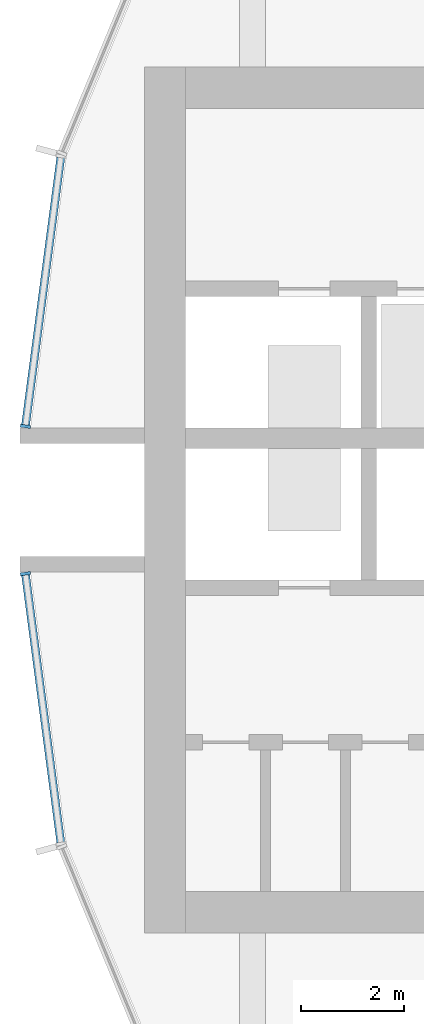
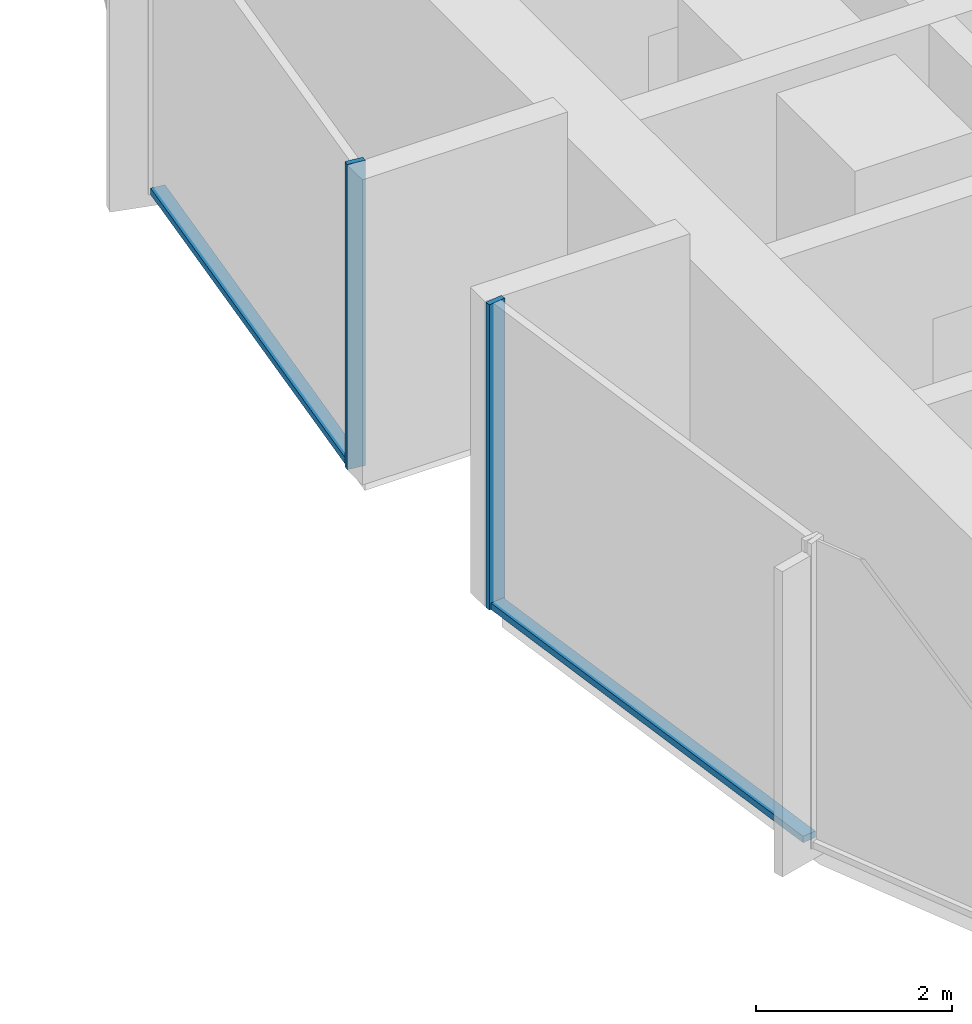
# One storey, part 3 of 15: 4 members, 2 elements without a shape of their own.
"""IFC4 building model written with IfcOpenShell, lengths in metres."""

from ifc_helpers import new_model, si_unit, direction, frame, origin, origin_2d, place, context, subcontext, project, spatial, rectangle, extrude, material, layer, layer_set, material_profile, profile_set, type_object, element, aggregate, save


model = new_model("IFC4")

# Units and contexts
model_context = context("Model", 3, precision=1e-05, world=origin(), true_north=direction((0.0, 1.0)))
body_context = subcontext(model_context, "Body", "Model", "MODEL_VIEW")
ifc_project = project(units=[si_unit("LENGTHUNIT", "METRE"), si_unit("AREAUNIT", "SQUARE_METRE"), si_unit("VOLUMEUNIT", "CUBIC_METRE"), si_unit("PLANEANGLEUNIT", "RADIAN"), si_unit("MASSUNIT", "GRAM", prefix="KILO")], contexts=[model_context])

# Site, building, storey
site_placement = place(None, origin())
site = spatial("IfcSite", under=ifc_project, at=site_placement, CompositionType="ELEMENT")
building_placement = place(site_placement, origin())
building = spatial("IfcBuilding", under=site, at=building_placement, Name="Torre Brocal", CompositionType="ELEMENT")
storey_placement = place(building_placement, frame((0.0, 0.0, 93.800048828125)))
storey = spatial("IfcBuildingStorey", under=building, at=storey_placement, Name="L21", CompositionType="ELEMENT", Elevation=93.800048828125)

# Curtain wall, member
ifc_material_1 = material(Name="Aluminium and glass", Category="aluminium")
ifc_layer = layer(ifc_material_1, 0.199951171875)
ifc_layer_set = layer_set([ifc_layer], Name="Aluminium and glass")
curtain_wall_type = type_object("IfcCurtainWallType", Name="CW-1B CURTAIN WALL 3800 HIGH", PredefinedType="NOTDEFINED", material=ifc_layer_set)
curtain_wall_1_placement = place(storey_placement, origin())
curtain_wall_1 = element("IfcCurtainWall", 1, at=curtain_wall_1_placement, inside=storey, type_object=curtain_wall_type, Name="CW-1B RUN 12", PredefinedType="NOTDEFINED")
ifc_material_2 = material(Name="Aluminium, dark anodised", Category="aluminium")
ifc_material_profile_1 = material_profile(ifc_material_2, rectangle(XDim=0.199951171875, YDim=0.06005859375, at=origin_2d()), Name="CW-1B MULLION 60X200")
ifc_profile_set_1 = profile_set([ifc_material_profile_1], Name="Aluminium, dark anodised")
member_type_1 = type_object("IfcMemberType", Name="CW-1B MULLION 60X200", PredefinedType="MULLION", material=ifc_profile_set_1)
member_1_placement = place(storey_placement, frame((54.2890625, 76.4296875, 0.0), z_axis=(0.0, 0.0, 1.0), x_axis=(0.991444861374, -0.13052619222, 0.0)))
member_1 = element("IfcMember", 2, at=member_1_placement, type_object=member_type_1, Name="CW1B-1 mullion 2", PredefinedType="MULLION", context=body_context, shape_type="SweptSolid", body=[
    extrude(rectangle(XDim=0.199951171875, YDim=0.06005859375, at=origin_2d()), origin(), (0.0, 0.0, 1.0), 3.800048828125),
])

curtain_wall_2_placement = place(storey_placement, origin())
curtain_wall_2 = element("IfcCurtainWall", 3, at=curtain_wall_2_placement, inside=storey, type_object=curtain_wall_type, Name="CW-1B RUN 13", PredefinedType="NOTDEFINED")
member_2_placement = place(storey_placement, frame((54.2890625, 73.5703125, 0.0), z_axis=(0.0, 0.0, 1.0), x_axis=(0.991444861374, 0.13052619222, 0.0)))
member_2 = element("IfcMember", 4, at=member_2_placement, type_object=member_type_1, Name="CW1B-1 mullion 1", PredefinedType="MULLION", context=body_context, shape_type="SweptSolid", body=[
    extrude(rectangle(XDim=0.199951171875, YDim=0.06005859375, at=origin_2d()), origin(), (0.0, 0.0, 1.0), 3.800048828125),
])

# Member
ifc_material_3 = material(Name="Aluminium, dark anodised", Category="aluminium")
ifc_material_profile_2 = material_profile(ifc_material_3, rectangle(XDim=0.159912109375, YDim=0.080078125, at=origin_2d()), Name="CW-1B TRANSOM 160X80")
ifc_profile_set_2 = profile_set([ifc_material_profile_2], Name="Aluminium, dark anodised")
member_type_2 = type_object("IfcMemberType", Name="CW-1B TRANSOM 160X80", PredefinedType="USERDEFINED", material=ifc_profile_set_2)
member_3_placement = place(storey_placement, frame((54.9755859375, 81.643798828125, 0.0400390625), z_axis=(-0.130542677827, -0.991442690863, 0.0), x_axis=(0.991442690863, -0.130542677827, 0.0)))
member_3 = element("IfcMember", 5, at=member_3_placement, type_object=member_type_2, Name="CW1B-1 transom 1.1", ObjectType="TRANSOM", PredefinedType="USERDEFINED", context=body_context, shape_type="SweptSolid", body=[
    extrude(rectangle(XDim=0.159912109375, YDim=0.080078125, at=origin_2d()), origin(), (0.0, 0.0, 1.0), 5.22900390625),
])

aggregate(curtain_wall_1, [member_1, member_3])

member_4_placement = place(storey_placement, frame((54.29296875, 73.54052734375, 0.0400390625), z_axis=(0.130542677827, -0.991442690863, 0.0), x_axis=(0.991442690863, 0.130542677827, 0.0)))
member_4 = element("IfcMember", 6, at=member_4_placement, type_object=member_type_2, Name="CW1B-1 transom 1.1", ObjectType="TRANSOM", PredefinedType="USERDEFINED", context=body_context, shape_type="SweptSolid", body=[
    extrude(rectangle(XDim=0.159912109375, YDim=0.080078125, at=origin_2d()), origin(), (0.0, 0.0, 1.0), 5.22900390625),
])

aggregate(curtain_wall_2, [member_2, member_4])

save(model, "model.ifc")
